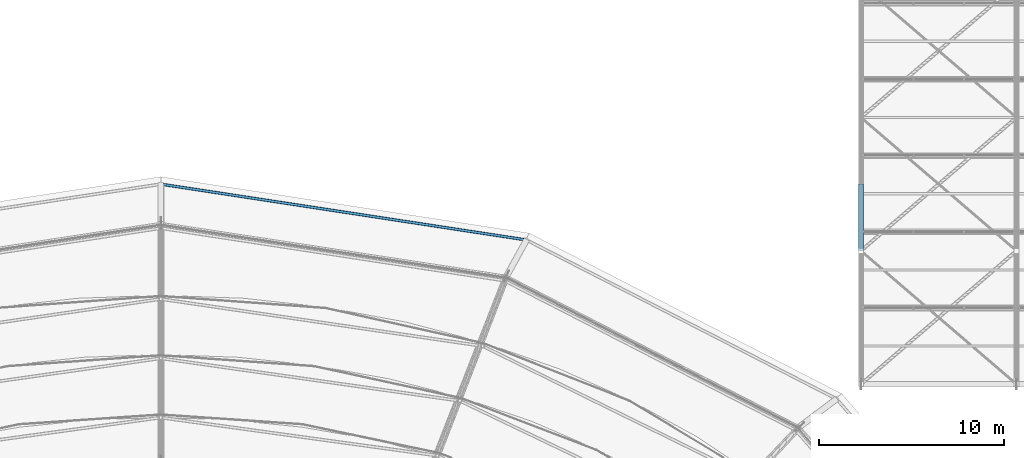
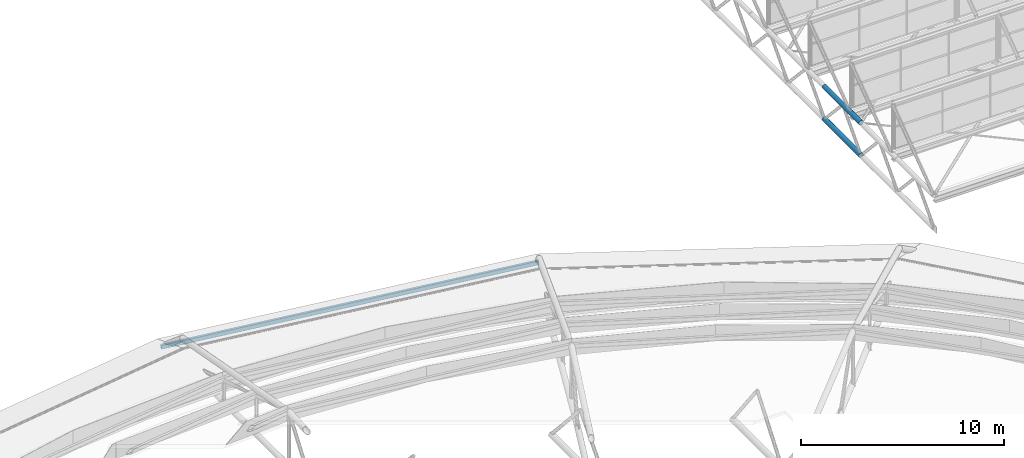
# One storey, part 50 of 134: 2 members, 1 beam.
"""IFC4 building model written with IfcOpenShell, lengths in metres."""

from ifc_helpers import new_model, si_unit, derived_unit, direction, frame, origin, origin_2d, place, context, subcontext, project, spatial, hollow_rectangle, hollow_circle, extrude, material, material_profile, profile_set, type_object, element, save


model = new_model("IFC4")

# Units and contexts
model_context = context("Model", 3, precision=1e-05, world=origin(), true_north=direction((0.0, 1.0)))
body_context = subcontext(model_context, "Body", "Model", "MODEL_VIEW")
ifc_project = project(units=[si_unit("LENGTHUNIT", "METRE"), si_unit("AREAUNIT", "SQUARE_METRE"), si_unit("VOLUMEUNIT", "CUBIC_METRE"), si_unit("PLANEANGLEUNIT", "RADIAN"), si_unit("MASSUNIT", "GRAM", prefix="KILO"), derived_unit("THERMALTRANSMITTANCEUNIT", [(si_unit("MASSUNIT", "GRAM", prefix="KILO"), 1), (si_unit("TIMEUNIT", "SECOND"), -3), (si_unit("THERMODYNAMICTEMPERATUREUNIT", "KELVIN"), -1)])], contexts=[model_context])

# Site, building, storey
site_placement = place(None, origin())
site = spatial("IfcSite", under=ifc_project, at=site_placement, CompositionType="ELEMENT")
building_placement = place(site_placement, origin())
building = spatial("IfcBuilding", under=site, at=building_placement, Name="Kharveza Railside Sports Centre", CompositionType="ELEMENT")
storey_placement = place(building_placement, frame((0.0, 0.0, 12.89990234375)))
storey = spatial("IfcBuildingStorey", under=building, at=storey_placement, Name="L03", CompositionType="ELEMENT", Elevation=12.89990234375)

# Beam
ifc_material = material(Name="Steel S355J2", Category="steel")
ifc_material_profile_1 = material_profile(ifc_material, hollow_rectangle(XDim=0.14990234375, YDim=0.25, WallThickness=0.010009765625, InnerFilletRadius=0.010009765625, OuterFilletRadius=0.02001953125, at=origin_2d()), Name="RHS 150x250x10.0")
ifc_profile_set_1 = profile_set([ifc_material_profile_1], Name="Steel S355J2")
beam_type = type_object("IfcBeamType", Name="BM-SP04", PredefinedType="SPANDREL", material=ifc_profile_set_1)
beam_placement = place(storey_placement, frame((74.346435546875, 86.985595703125, -0.47998046875), z_axis=(-0.988547793234, 0.150908119374, 0.0), x_axis=(-0.150908119374, -0.988547793234, 0.0)))
element("IfcBeam", 1, at=beam_placement, inside=storey, type_object=beam_type, Name="BM-LIDRING-RIM-04", PredefinedType="SPANDREL", context=body_context, shape_type="SweptSolid", body=[
    extrude(hollow_rectangle(XDim=0.14990234375, YDim=0.25, WallThickness=0.010009765625, InnerFilletRadius=0.010009765625, OuterFilletRadius=0.02001953125, at=origin_2d()), origin(), (0.0, 0.0, 1.0), 19.97509765625),
])

# Members
ifc_material_profile_2 = material_profile(ifc_material, hollow_circle(Radius=0.136474609375, WallThickness=0.01416015625, at=origin_2d()), Name="CHS 273.0x14.2")
ifc_profile_set_2 = profile_set([ifc_material_profile_2], Name="Steel S355J2")
member_type = type_object("IfcMemberType", Name="MB-CH03", PredefinedType="CHORD", material=ifc_profile_set_2)
for number, where, z_axis, x_axis, name in (
    (2, (92.39990234375, 86.39990234375, 0.0), (0.0, 1.0, 0.0), (-1.0, 0.0, 0.0), "MB-V2TR-BC-1-3"),
    (3, (92.39990234375, 86.39990234375, 1.9501953125), (0.0, 1.0, 0.0), (-1.0, 0.0, 0.0), "MB-V2TR-TC-1-3"),
):
    element("IfcMember", number, at=place(storey_placement, frame(where, z_axis=z_axis, x_axis=x_axis)), inside=storey, type_object=member_type, Name=name, PredefinedType="CHORD", context=body_context, shape_type="SweptSolid", body=[
        extrude(hollow_circle(Radius=0.136474609375, WallThickness=0.01416015625, at=origin_2d()), origin(), (0.0, 0.0, 1.0), 3.60009765625),
    ])

save(model, "model.ifc")
